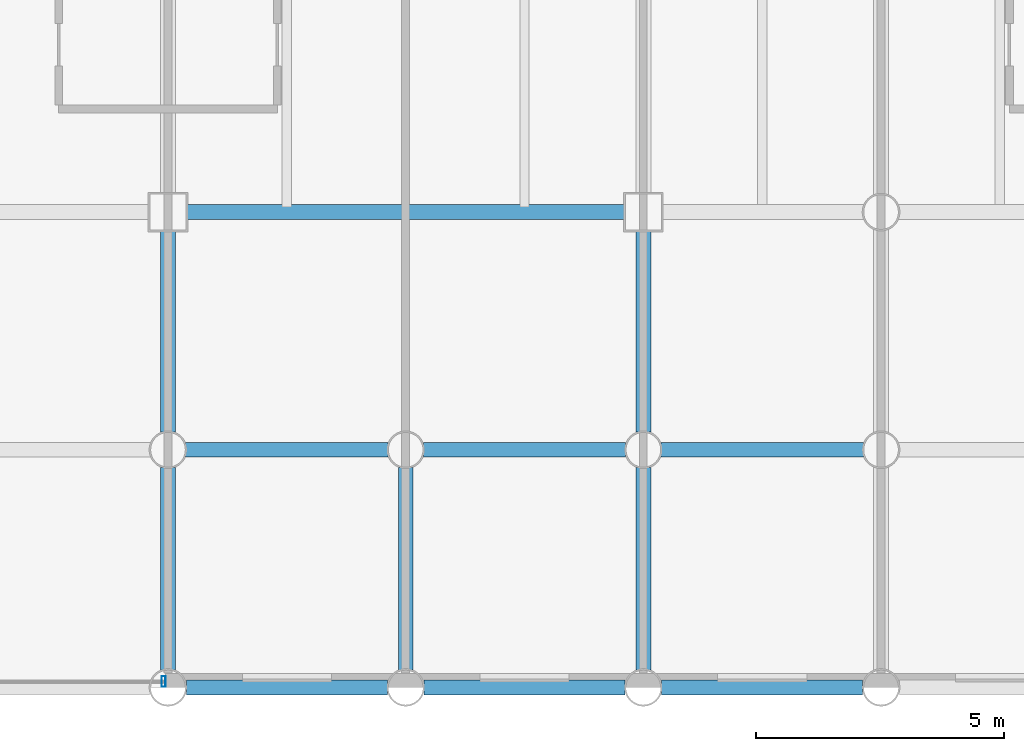
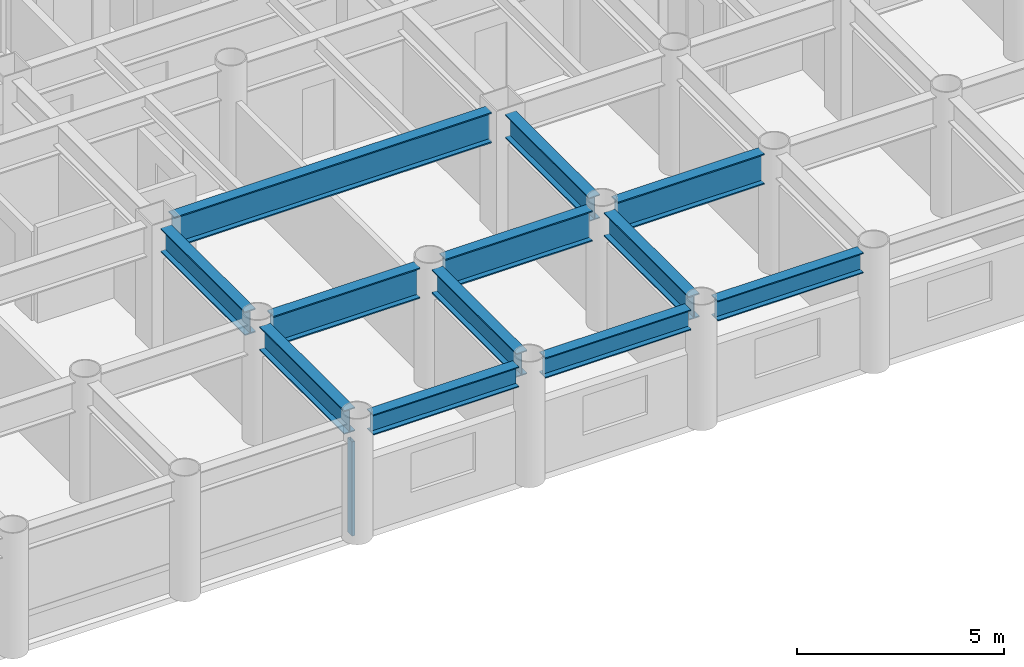
# One storey, part 6 of 21: 12 beams, 1 member, 1 element without a shape of its own.
"""IFC4 building model written with IfcOpenShell, lengths in metres."""

from ifc_helpers import new_model, si_unit, direction, frame, origin, origin_2d, place, context, subcontext, project, spatial, hollow_rectangle, i_section, extrude, material, layer, layer_set, material_profile, profile_set, type_object, element, aggregate, save


model = new_model("IFC4")

# Units and contexts
model_context = context("Model", 3, precision=1e-05, world=origin(), true_north=direction((0.0, 1.0)))
body_context = subcontext(model_context, "Body", "Model", "MODEL_VIEW")
ifc_project = project(units=[si_unit("LENGTHUNIT", "METRE"), si_unit("AREAUNIT", "SQUARE_METRE"), si_unit("VOLUMEUNIT", "CUBIC_METRE"), si_unit("PLANEANGLEUNIT", "RADIAN"), si_unit("MASSUNIT", "GRAM", prefix="KILO")], contexts=[model_context])

# Site, building, storey
site_placement = place(None, origin())
site = spatial("IfcSite", under=ifc_project, at=site_placement, CompositionType="ELEMENT")
building_placement = place(site_placement, origin())
building = spatial("IfcBuilding", under=site, at=building_placement, Name="Kallvorn Hotel Tower", CompositionType="ELEMENT")
storey_placement = place(building_placement, frame((0.0, 0.0, 81.800048828125)))
storey = spatial("IfcBuildingStorey", under=building, at=storey_placement, Name="L19", CompositionType="ELEMENT", Elevation=81.800048828125)

# Beams
ifc_material_1 = material(Name="Structural steel S355JR", Category="steel")
ifc_material_profile_1 = material_profile(ifc_material_1, i_section(OverallWidth=0.300048828125, OverallDepth=0.60009765625, WebThickness=0.015380859375, FlangeThickness=0.030029296875, at=origin_2d()), Name="HE 600 B")
ifc_profile_set_1 = profile_set([ifc_material_profile_1], Name="Structural steel S355JR")
beam_type_1 = type_object("IfcBeamType", Name="BM_HE600B", PredefinedType="SPANDREL", material=ifc_profile_set_1)
for number, where, z_axis, x_axis, name in (
    (1, (5.1708984375, -24.0, 3.219970703125), (1.0, 0.0, 0.0), (0.0, 1.0, 0.0), "L20 Perimeter Spandrel 157"),
    (2, (9.970947265625, -24.0, 3.219970703125), (1.0, 0.0, 0.0), (0.0, 1.0, 0.0), "L20 Perimeter Spandrel 158"),
    (3, (14.77099609375, -24.0, 3.219970703125), (1.0, 0.0, 0.0), (0.0, 1.0, 0.0), "L20 Perimeter Spandrel 159"),
):
    element("IfcBeam", number, at=place(storey_placement, frame(where, z_axis=z_axis, x_axis=x_axis)), inside=storey, type_object=beam_type_1, Name=name, PredefinedType="SPANDREL", context=body_context, shape_type="SweptSolid", body=[
        extrude(i_section(OverallWidth=0.300048828125, OverallDepth=0.60009765625, WebThickness=0.015380859375, FlangeThickness=0.030029296875, at=origin_2d()), origin(), (0.0, 0.0, 1.0), 4.05810546875),
    ])
ifc_material_2 = material(Name="Structural steel S355JR", Category="steel")
ifc_material_profile_2 = material_profile(ifc_material_2, i_section(OverallWidth=0.300048828125, OverallDepth=0.699951171875, WebThickness=0.01708984375, FlangeThickness=0.031982421875, at=origin_2d()), Name="HE 700 B")
ifc_profile_set_2 = profile_set([ifc_material_profile_2], Name="Structural steel S355JR")
beam_type_2 = type_object("IfcBeamType", Name="BM_HE700B", PredefinedType="BEAM", material=ifc_profile_set_2)
beam_1_placement = place(storey_placement, frame((4.800048828125, -23.64404296875, 3.169921875), z_axis=(0.0, 1.0, 0.0), x_axis=(-1.0, 0.0, 0.0)))
element("IfcBeam", 4, at=beam_1_placement, inside=storey, type_object=beam_type_2, Name="L20 Primary Y-Girder 113", PredefinedType="BEAM", context=body_context, shape_type="SweptSolid", body=[
    extrude(i_section(OverallWidth=0.300048828125, OverallDepth=0.699951171875, WebThickness=0.01708984375, FlangeThickness=0.031982421875, at=origin_2d()), origin(), (0.0, 0.0, 1.0), 4.088134765625),
])
beam_2_placement = place(storey_placement, frame((4.800048828125, -18.843994140625, 3.169921875), z_axis=(0.0, 1.0, 0.0), x_axis=(-1.0, 0.0, 0.0)))
element("IfcBeam", 5, at=beam_2_placement, inside=storey, type_object=beam_type_2, Name="L20 Primary Y-Girder 114", PredefinedType="BEAM", context=body_context, shape_type="SweptSolid", body=[
    extrude(i_section(OverallWidth=0.300048828125, OverallDepth=0.699951171875, WebThickness=0.01708984375, FlangeThickness=0.031982421875, at=origin_2d()), origin(), (0.0, 0.0, 1.0), 4.069091796875),
])
for number, where, z_axis, x_axis, name in (
    (6, (9.60009765625, -23.64404296875, 3.169921875), (0.0, 1.0, 0.0), (-1.0, 0.0, 0.0), "L20 Primary Y-Girder 118"),
    (7, (14.39990234375, -23.64404296875, 3.169921875), (0.0, 1.0, 0.0), (-1.0, 0.0, 0.0), "L20 Primary Y-Girder 121"),
):
    element("IfcBeam", number, at=place(storey_placement, frame(where, z_axis=z_axis, x_axis=x_axis)), inside=storey, type_object=beam_type_2, Name=name, PredefinedType="BEAM", context=body_context, shape_type="SweptSolid", body=[
        extrude(i_section(OverallWidth=0.300048828125, OverallDepth=0.699951171875, WebThickness=0.01708984375, FlangeThickness=0.031982421875, at=origin_2d()), origin(), (0.0, 0.0, 1.0), 4.088134765625),
    ])
beam_3_placement = place(storey_placement, frame((14.39990234375, -18.843994140625, 3.169921875), z_axis=(0.0, 1.0, 0.0), x_axis=(-1.0, 0.0, 0.0)))
element("IfcBeam", 8, at=beam_3_placement, inside=storey, type_object=beam_type_2, Name="L20 Primary Y-Girder 122", PredefinedType="BEAM", context=body_context, shape_type="SweptSolid", body=[
    extrude(i_section(OverallWidth=0.300048828125, OverallDepth=0.699951171875, WebThickness=0.01708984375, FlangeThickness=0.031982421875, at=origin_2d()), origin(), (0.0, 0.0, 1.0), 4.069091796875),
])
ifc_material_3 = material(Name="Structural steel S355JR", Category="steel")
ifc_material_profile_3 = material_profile(ifc_material_3, i_section(OverallWidth=0.300048828125, OverallDepth=0.89990234375, WebThickness=0.0185546875, FlangeThickness=0.034912109375, at=origin_2d()), Name="HE 900 B")
ifc_profile_set_3 = profile_set([ifc_material_profile_3], Name="Structural steel S355JR")
beam_type_3 = type_object("IfcBeamType", Name="BM_HE900B", PredefinedType="BEAM", material=ifc_profile_set_3)
for number, where, z_axis, x_axis, name in (
    (9, (5.156005859375, -19.199951171875, 3.070068359375), (1.0, 0.0, 0.0), (0.0, 1.0, 0.0), "L20 Primary X-Girder 08"),
    (10, (9.9560546875, -19.199951171875, 3.070068359375), (1.0, 0.0, 0.0), (0.0, 1.0, 0.0), "L20 Primary X-Girder 09"),
    (11, (14.756103515625, -19.199951171875, 3.070068359375), (1.0, 0.0, 0.0), (0.0, 1.0, 0.0), "L20 Primary X-Girder 10"),
):
    element("IfcBeam", number, at=place(storey_placement, frame(where, z_axis=z_axis, x_axis=x_axis)), inside=storey, type_object=beam_type_3, Name=name, PredefinedType="BEAM", context=body_context, shape_type="SweptSolid", body=[
        extrude(i_section(OverallWidth=0.300048828125, OverallDepth=0.89990234375, WebThickness=0.0185546875, FlangeThickness=0.034912109375, at=origin_2d()), origin(), (0.0, 0.0, 1.0), 4.087890625),
    ])
beam_4_placement = place(storey_placement, frame((5.175048828125, -14.39990234375, 3.070068359375), z_axis=(1.0, 0.0, 0.0), x_axis=(0.0, 1.0, 0.0)))
element("IfcBeam", 12, at=beam_4_placement, inside=storey, type_object=beam_type_3, Name="L20 Primary X-Girder 19", PredefinedType="BEAM", context=body_context, shape_type="SweptSolid", body=[
    extrude(i_section(OverallWidth=0.300048828125, OverallDepth=0.89990234375, WebThickness=0.0185546875, FlangeThickness=0.034912109375, at=origin_2d()), origin(), (0.0, 0.0, 1.0), 8.849853515625),
])

# Curtain wall, member
ifc_material_4 = material(Name="Thermally broken black-anodised aluminium AA 6063-T6", Category="aluminium")
ifc_layer = layer(ifc_material_4, 0.199951171875)
ifc_layer_set = layer_set([ifc_layer], Name="CW_SYS_3_HOTEL_LOW")
curtain_wall_type = type_object("IfcCurtainWallType", Name="CW_SYS_3_HOTEL_LOW", PredefinedType="USERDEFINED", material=ifc_layer_set)
curtain_wall_placement = place(storey_placement, origin())
curtain_wall = element("IfcCurtainWall", 13, at=curtain_wall_placement, inside=storey, type_object=curtain_wall_type, Name="L19 Dark-Glass Curtain Wall CW-L19-SC", ObjectType="UNITISED CURTAIN WALL", PredefinedType="USERDEFINED")
ifc_material_5 = material(Name="Thermally broken black-anodised aluminium AA 6063-T6", Category="aluminium")
ifc_material_profile_4 = material_profile(ifc_material_5, hollow_rectangle(XDim=0.080078125, YDim=0.219970703125, WallThickness=0.0048828125, at=origin_2d()), Name="MUL 220x80")
ifc_profile_set_4 = profile_set([ifc_material_profile_4], Name="Thermally broken black-anodised aluminium AA 6063-T6")
member_type = type_object("IfcMemberType", Name="CW_MULLION_220x80", PredefinedType="MULLION", material=ifc_profile_set_4)
member_placement = place(storey_placement, frame((4.7099609375, -23.8798828125, 0.02001953125), z_axis=(0.0, 0.0, 1.0), x_axis=(1.0, 0.0, 0.0)))
member = element("IfcMember", 14, at=member_placement, type_object=member_type, Name="CW-L19-SC Mullion 02", PredefinedType="MULLION", context=body_context, shape_type="SweptSolid", body=[
    extrude(hollow_rectangle(XDim=0.080078125, YDim=0.219970703125, WallThickness=0.0048828125, at=origin_2d()), origin(), (0.0, 0.0, 1.0), 2.780029296875),
])
aggregate(curtain_wall, [member])

save(model, "model.ifc")
